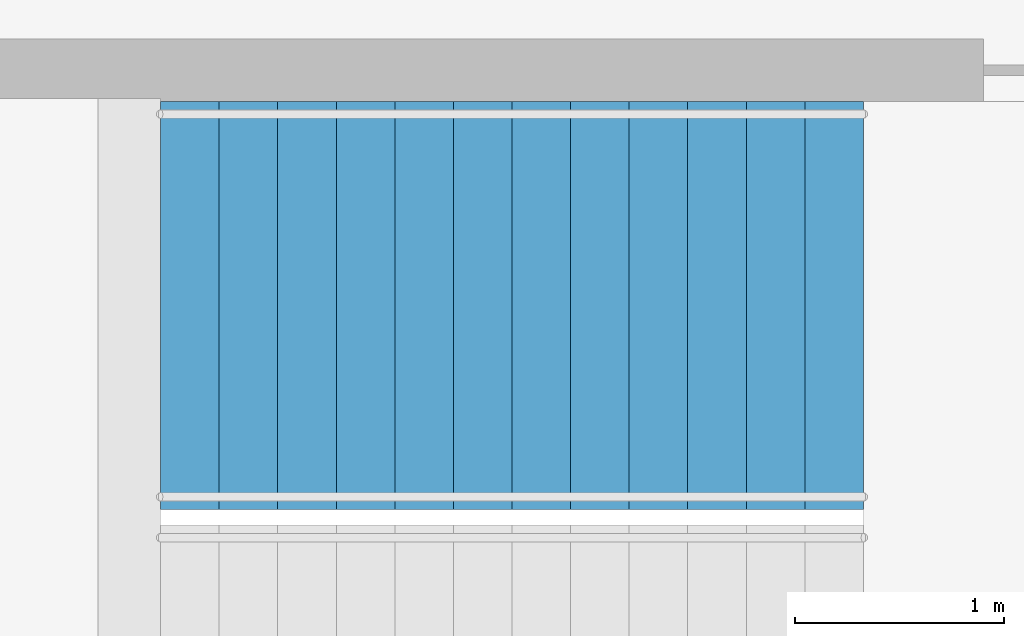
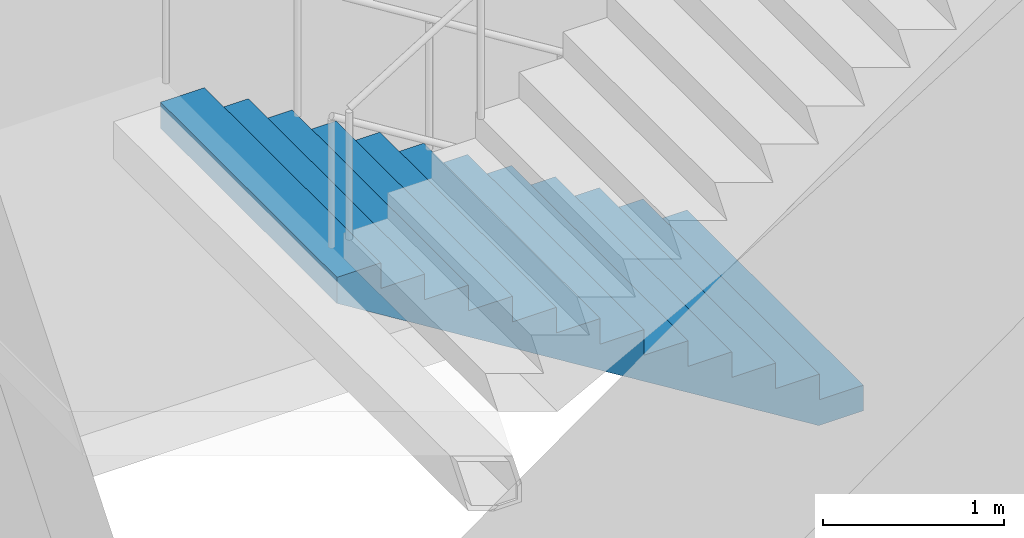
# One storey, part 22 of 32: 1 stair flight, 1 element without a shape of its own.
"""IFC4 building model written with IfcOpenShell, lengths in metres."""

from ifc_helpers import new_model, si_unit, direction, frame, origin, place, context, subcontext, project, spatial, triangles, material, type_object, element, aggregate, save


model = new_model("IFC4")

# Units and contexts
model_context = context("Model", 3, precision=1e-05, world=origin(), true_north=direction((0.0, 1.0)))
body_context = subcontext(model_context, "Body", "Model", "MODEL_VIEW")
ifc_project = project(units=[si_unit("LENGTHUNIT", "METRE"), si_unit("AREAUNIT", "SQUARE_METRE"), si_unit("VOLUMEUNIT", "CUBIC_METRE"), si_unit("PLANEANGLEUNIT", "RADIAN"), si_unit("MASSUNIT", "GRAM", prefix="KILO")], contexts=[model_context])

# Site, building, storey
site_placement = place(None, origin())
site = spatial("IfcSite", under=ifc_project, at=site_placement, CompositionType="ELEMENT")
building_placement = place(site_placement, origin())
building = spatial("IfcBuilding", under=site, at=building_placement, Name="Orbita Commons", CompositionType="ELEMENT")
storey_placement = place(building_placement, frame((0.0, 0.0, 140.35009765625)))
storey = spatial("IfcBuildingStorey", under=building, at=storey_placement, Name="L34", CompositionType="ELEMENT", Elevation=140.35009765625)

# Stair, stair flight
ifc_material_1 = material(Name="Precast concrete C40/50", Category="concrete")
stair_type = type_object("IfcStairType", Name="Exit stair S2 2 flights 13 risers 173", PredefinedType="HALF_TURN_STAIR", material=ifc_material_1)
stair_placement = place(storey_placement, origin())
stair = element("IfcStair", 1, at=stair_placement, inside=storey, type_object=stair_type, Name="Exit stair S2 L34", PredefinedType="HALF_TURN_STAIR")
ifc_material_2 = material(Name="Precast concrete C40/50", Category="concrete")
stair_flight_type = type_object("IfcStairFlightType", Name="Stair flight 13 risers 173 x 280", PredefinedType="STRAIGHT", material=ifc_material_2)
stair_flight_placement = place(storey_placement, frame((63.550048828125, 29.27490234375, 0.0), z_axis=(0.0, 0.0, 1.0), x_axis=(-1.0, 0.0, 0.0)))
stair_flight = element("IfcStairFlight", 2, at=stair_flight_placement, type_object=stair_flight_type, Name="S2 flight 1", NumberOfRisers=13, NumberOfTreads=12, PredefinedType="STRAIGHT", RiserHeight=0.173076923, TreadLength=0.28, context=body_context, shape_type="Tessellation", body=[
    triangles([(0.0, 0.974976, 0.0), (0.0, 0.974976, 0.021635), (0.0, 0.81248, 0.021635), (0.0, 0.81248, 0.0), (0.0, 0.649984, 0.021635), (0.0, 0.649984, 0.0), (0.0, 0.487488, 0.021635), (0.0, 0.487488, 0.0), (0.0, 0.324992, 0.021635), (0.0, 0.324992, 0.0), (0.0, 0.162496, 0.021635), (0.0, 0.162496, 0.0), (0.0, 0.0, 0.021635), (0.0, 0.0, 0.0), (0.0, -0.162496, 0.021635), (0.0, -0.162496, 0.0), (0.0, -0.324992, 0.021635), (0.0, -0.324992, 0.0), (0.0, -0.487488, 0.021635), (0.0, -0.487488, 0.0), (0.0, -0.649984, 0.021635), (0.0, -0.649984, 0.0), (0.0, -0.81248, 0.021635), (0.0, -0.81248, 0.0), (0.0, -0.974976, 0.021635), (0.0, -0.974976, 0.0), (0.0, 0.974976, 0.043269), (0.0, 0.81248, 0.043269), (0.0, 0.649984, 0.043269), (0.0, 0.487488, 0.043269), (0.0, 0.324992, 0.043269), (0.0, 0.162496, 0.043269), (0.0, 0.0, 0.043269), (0.0, -0.162496, 0.043269), (0.0, -0.324992, 0.043269), (0.0, -0.487488, 0.043269), (0.0, -0.649984, 0.043269), (0.0, -0.81248, 0.043269), (0.0, -0.974976, 0.043269), (0.0, 0.974976, 0.064904), (0.0, 0.81248, 0.064904), (0.0, 0.649984, 0.064904), (0.0, 0.487488, 0.064904), (0.0, 0.324992, 0.064904), (0.0, 0.162496, 0.064904), (0.0, 0.0, 0.064904), (0.0, -0.162496, 0.064904), (0.0, -0.324992, 0.064904), (0.0, -0.487488, 0.064904), (0.0, -0.649984, 0.064904), (0.0, -0.81248, 0.064904), (0.0, -0.974976, 0.064904), (0.0, 0.974976, 0.086538), (0.0, 0.81248, 0.086538), (0.0, 0.649984, 0.086538), (0.0, 0.487488, 0.086538), (0.0, 0.324992, 0.086538), (0.0, 0.162496, 0.086538), (0.0, 0.0, 0.086538), (0.0, -0.162496, 0.086538), (0.0, -0.324992, 0.086538), (0.0, -0.487488, 0.086538), (0.0, -0.649984, 0.086538), (0.0, -0.81248, 0.086538), (0.0, -0.974976, 0.086538), (0.0, 0.974976, 0.108173), (0.0, 0.81248, 0.108173), (0.0, 0.649984, 0.108173), (0.0, 0.487488, 0.108173), (0.0, 0.324992, 0.108173), (0.0, 0.162496, 0.108173), (0.0, 0.0, 0.108173), (0.0, -0.162496, 0.108173), (0.0, -0.324992, 0.108173), (0.0, -0.487488, 0.108173), (0.0, -0.649984, 0.108173), (0.0, -0.81248, 0.108173), (0.0, -0.974976, 0.108173), (0.0, 0.974976, 0.129808), (0.0, 0.81248, 0.129808), (0.0, 0.649984, 0.129808), (0.0, 0.487488, 0.129808), (0.0, 0.324992, 0.129808), (0.0, 0.162496, 0.129808), (0.0, 0.0, 0.129808), (0.0, -0.162496, 0.129808), (0.0, -0.324992, 0.129808), (0.0, -0.487488, 0.129808), (0.0, -0.649984, 0.129808), (0.0, -0.81248, 0.129808), (0.0, -0.974976, 0.129808), (0.0, 0.974976, 0.151442), (0.0, 0.81248, 0.151442), (0.0, 0.649984, 0.151442), (0.0, 0.487488, 0.151442), (0.0, 0.324992, 0.151442), (0.0, 0.162496, 0.151442), (0.0, 0.0, 0.151442), (0.0, -0.162496, 0.151442), (0.0, -0.324992, 0.151442), (0.0, -0.487488, 0.151442), (0.0, -0.649984, 0.151442), (0.0, -0.81248, 0.151442), (0.0, -0.974976, 0.151442), (0.0, 0.974976, 0.173077), (0.0, 0.81248, 0.173077), (0.0, 0.649984, 0.173077), (0.0, 0.487488, 0.173077), (0.0, 0.324992, 0.173077), (0.0, 0.162496, 0.173077), (0.0, 0.0, 0.173077), (0.0, -0.162496, 0.173077), (0.0, -0.324992, 0.173077), (0.0, -0.487488, 0.173077), (0.0, -0.649984, 0.173077), (0.0, -0.81248, 0.173077), (0.0, -0.974976, 0.173077), (0.28, 0.974976, 0.173077), (0.28, 0.81248, 0.173077), (0.28, 0.649984, 0.173077), (0.28, 0.487488, 0.173077), (0.28, 0.324992, 0.173077), (0.28, 0.162496, 0.173077), (0.28, 0.0, 0.173077), (0.28, -0.162496, 0.173077), (0.28, -0.324992, 0.173077), (0.28, -0.487488, 0.173077), (0.28, -0.649984, 0.173077), (0.28, -0.81248, 0.173077), (0.28, -0.974976, 0.173077), (0.28, 0.974976, 0.346154), (0.28, 0.81248, 0.346154), (0.28, 0.649984, 0.346154), (0.28, 0.487488, 0.346154), (0.28, 0.324992, 0.346154), (0.28, 0.162496, 0.346154), (0.28, 0.0, 0.346154), (0.28, -0.162496, 0.346154), (0.28, -0.324992, 0.346154), (0.28, -0.487488, 0.346154), (0.28, -0.649984, 0.346154), (0.28, -0.81248, 0.346154), (0.28, -0.974976, 0.346154), (0.56, 0.974976, 0.346154), (0.56, 0.81248, 0.346154), (0.56, 0.649984, 0.346154), (0.56, 0.487488, 0.346154), (0.56, 0.324992, 0.346154), (0.56, 0.162496, 0.346154), (0.56, 0.0, 0.346154), (0.56, -0.162496, 0.346154), (0.56, -0.324992, 0.346154), (0.56, -0.487488, 0.346154), (0.56, -0.649984, 0.346154), (0.56, -0.81248, 0.346154), (0.56, -0.974976, 0.346154), (0.56, 0.974976, 0.519231), (0.56, 0.81248, 0.519231), (0.56, 0.649984, 0.519231), (0.56, 0.487488, 0.519231), (0.56, 0.324992, 0.519231), (0.56, 0.162496, 0.519231), (0.56, 0.0, 0.519231), (0.56, -0.162496, 0.519231), (0.56, -0.324992, 0.519231), (0.56, -0.487488, 0.519231), (0.56, -0.649984, 0.519231), (0.56, -0.81248, 0.519231), (0.56, -0.974976, 0.519231), (0.84, 0.974976, 0.519231), (0.84, 0.81248, 0.519231), (0.84, 0.649984, 0.519231), (0.84, 0.487488, 0.519231), (0.84, 0.324992, 0.519231), (0.84, 0.162496, 0.519231), (0.84, 0.0, 0.519231), (0.84, -0.162496, 0.519231), (0.84, -0.324992, 0.519231), (0.84, -0.487488, 0.519231), (0.84, -0.649984, 0.519231), (0.84, -0.81248, 0.519231), (0.84, -0.974976, 0.519231), (0.84, 0.974976, 0.692308), (0.84, 0.81248, 0.692308), (0.84, 0.649984, 0.692308), (0.84, 0.487488, 0.692308), (0.84, 0.324992, 0.692308), (0.84, 0.162496, 0.692308), (0.84, 0.0, 0.692308), (0.84, -0.162496, 0.692308), (0.84, -0.324992, 0.692308), (0.84, -0.487488, 0.692308), (0.84, -0.649984, 0.692308), (0.84, -0.81248, 0.692308), (0.84, -0.974976, 0.692308), (1.12, 0.974976, 0.692308), (1.12, 0.81248, 0.692308), (1.12, 0.649984, 0.692308), (1.12, 0.487488, 0.692308), (1.12, 0.324992, 0.692308), (1.12, 0.162496, 0.692308), (1.12, 0.0, 0.692308), (1.12, -0.162496, 0.692308), (1.12, -0.324992, 0.692308), (1.12, -0.487488, 0.692308), (1.12, -0.649984, 0.692308), (1.12, -0.81248, 0.692308), (1.12, -0.974976, 0.692308), (1.12, 0.974976, 0.865385), (1.12, 0.81248, 0.865385), (1.12, 0.649984, 0.865385), (1.12, 0.487488, 0.865385), (1.12, 0.324992, 0.865385), (1.12, 0.162496, 0.865385), (1.12, 0.0, 0.865385), (1.12, -0.162496, 0.865385), (1.12, -0.324992, 0.865385), (1.12, -0.487488, 0.865385), (1.12, -0.649984, 0.865385), (1.12, -0.81248, 0.865385), (1.12, -0.974976, 0.865385), (1.4, 0.974976, 0.865385), (1.4, 0.81248, 0.865385), (1.4, 0.649984, 0.865385), (1.4, 0.487488, 0.865385), (1.4, 0.324992, 0.865385), (1.4, 0.162496, 0.865385), (1.4, 0.0, 0.865385), (1.4, -0.162496, 0.865385), (1.4, -0.324992, 0.865385), (1.4, -0.487488, 0.865385), (1.4, -0.649984, 0.865385), (1.4, -0.81248, 0.865385), (1.4, -0.974976, 0.865385), (1.4, 0.974976, 1.038462), (1.4, 0.81248, 1.038462), (1.4, 0.649984, 1.038462), (1.4, 0.487488, 1.038462), (1.4, 0.324992, 1.038462), (1.4, 0.162496, 1.038462), (1.4, 0.0, 1.038462), (1.4, -0.162496, 1.038462), (1.4, -0.324992, 1.038462), (1.4, -0.487488, 1.038462), (1.4, -0.649984, 1.038462), (1.4, -0.81248, 1.038462), (1.4, -0.974976, 1.038462), (1.68, 0.974976, 1.038462), (1.68, 0.81248, 1.038462), (1.68, 0.649984, 1.038462), (1.68, 0.487488, 1.038462), (1.68, 0.324992, 1.038462), (1.68, 0.162496, 1.038462), (1.68, 0.0, 1.038462), (1.68, -0.162496, 1.038462), (1.68, -0.324992, 1.038462), (1.68, -0.487488, 1.038462), (1.68, -0.649984, 1.038462), (1.68, -0.81248, 1.038462), (1.68, -0.974976, 1.038462), (1.68, 0.974976, 1.211538), (1.68, 0.81248, 1.211538), (1.68, 0.649984, 1.211538), (1.68, 0.487488, 1.211538), (1.68, 0.324992, 1.211538), (1.68, 0.162496, 1.211538), (1.68, 0.0, 1.211538), (1.68, -0.162496, 1.211538), (1.68, -0.324992, 1.211538), (1.68, -0.487488, 1.211538), (1.68, -0.649984, 1.211538), (1.68, -0.81248, 1.211538), (1.68, -0.974976, 1.211538), (1.96, 0.974976, 1.211538), (1.96, 0.81248, 1.211538), (1.96, 0.649984, 1.211538), (1.96, 0.487488, 1.211538), (1.96, 0.324992, 1.211538), (1.96, 0.162496, 1.211538), (1.96, 0.0, 1.211538), (1.96, -0.162496, 1.211538), (1.96, -0.324992, 1.211538), (1.96, -0.487488, 1.211538), (1.96, -0.649984, 1.211538), (1.96, -0.81248, 1.211538), (1.96, -0.974976, 1.211538), (1.96, 0.974976, 1.384615), (1.96, 0.81248, 1.384615), (1.96, 0.649984, 1.384615), (1.96, 0.487488, 1.384615), (1.96, 0.324992, 1.384615), (1.96, 0.162496, 1.384615), (1.96, 0.0, 1.384615), (1.96, -0.162496, 1.384615), (1.96, -0.324992, 1.384615), (1.96, -0.487488, 1.384615), (1.96, -0.649984, 1.384615), (1.96, -0.81248, 1.384615), (1.96, -0.974976, 1.384615), (2.24, 0.974976, 1.384615), (2.24, 0.81248, 1.384615), (2.24, 0.649984, 1.384615), (2.24, 0.487488, 1.384615), (2.24, 0.324992, 1.384615), (2.24, 0.162496, 1.384615), (2.24, 0.0, 1.384615), (2.24, -0.162496, 1.384615), (2.24, -0.324992, 1.384615), (2.24, -0.487488, 1.384615), (2.24, -0.649984, 1.384615), (2.24, -0.81248, 1.384615), (2.24, -0.974976, 1.384615), (2.24, 0.974976, 1.557692), (2.24, 0.81248, 1.557692), (2.24, 0.649984, 1.557692), (2.24, 0.487488, 1.557692), (2.24, 0.324992, 1.557692), (2.24, 0.162496, 1.557692), (2.24, 0.0, 1.557692), (2.24, -0.162496, 1.557692), (2.24, -0.324992, 1.557692), (2.24, -0.487488, 1.557692), (2.24, -0.649984, 1.557692), (2.24, -0.81248, 1.557692), (2.24, -0.974976, 1.557692), (2.52, 0.974976, 1.557692), (2.52, 0.81248, 1.557692), (2.52, 0.649984, 1.557692), (2.52, 0.487488, 1.557692), (2.52, 0.324992, 1.557692), (2.52, 0.162496, 1.557692), (2.52, 0.0, 1.557692), (2.52, -0.162496, 1.557692), (2.52, -0.324992, 1.557692), (2.52, -0.487488, 1.557692), (2.52, -0.649984, 1.557692), (2.52, -0.81248, 1.557692), (2.52, -0.974976, 1.557692), (2.52, 0.974976, 1.730769), (2.52, 0.81248, 1.730769), (2.52, 0.649984, 1.730769), (2.52, 0.487488, 1.730769), (2.52, 0.324992, 1.730769), (2.52, 0.162496, 1.730769), (2.52, 0.0, 1.730769), (2.52, -0.162496, 1.730769), (2.52, -0.324992, 1.730769), (2.52, -0.487488, 1.730769), (2.52, -0.649984, 1.730769), (2.52, -0.81248, 1.730769), (2.52, -0.974976, 1.730769), (2.8, 0.974976, 1.730769), (2.8, 0.81248, 1.730769), (2.8, 0.649984, 1.730769), (2.8, 0.487488, 1.730769), (2.8, 0.324992, 1.730769), (2.8, 0.162496, 1.730769), (2.8, 0.0, 1.730769), (2.8, -0.162496, 1.730769), (2.8, -0.324992, 1.730769), (2.8, -0.487488, 1.730769), (2.8, -0.649984, 1.730769), (2.8, -0.81248, 1.730769), (2.8, -0.974976, 1.730769), (2.8, 0.974976, 1.903846), (2.8, 0.81248, 1.903846), (2.8, 0.649984, 1.903846), (2.8, 0.487488, 1.903846), (2.8, 0.324992, 1.903846), (2.8, 0.162496, 1.903846), (2.8, 0.0, 1.903846), (2.8, -0.162496, 1.903846), (2.8, -0.324992, 1.903846), (2.8, -0.487488, 1.903846), (2.8, -0.649984, 1.903846), (2.8, -0.81248, 1.903846), (2.8, -0.974976, 1.903846), (3.08, 0.974976, 1.903846), (3.08, 0.81248, 1.903846), (3.08, 0.649984, 1.903846), (3.08, 0.487488, 1.903846), (3.08, 0.324992, 1.903846), (3.08, 0.162496, 1.903846), (3.08, 0.0, 1.903846), (3.08, -0.162496, 1.903846), (3.08, -0.324992, 1.903846), (3.08, -0.487488, 1.903846), (3.08, -0.649984, 1.903846), (3.08, -0.81248, 1.903846), (3.08, -0.974976, 1.903846), (3.08, 0.974976, 2.076923), (3.08, 0.81248, 2.076923), (3.08, 0.649984, 2.076923), (3.08, 0.487488, 2.076923), (3.08, 0.324992, 2.076923), (3.08, 0.162496, 2.076923), (3.08, 0.0, 2.076923), (3.08, -0.162496, 2.076923), (3.08, -0.324992, 2.076923), (3.08, -0.487488, 2.076923), (3.08, -0.649984, 2.076923), (3.08, -0.81248, 2.076923), (3.08, -0.974976, 2.076923), (3.36, 0.974976, 2.076923), (3.36, 0.81248, 2.076923), (3.36, 0.649984, 2.076923), (3.36, 0.487488, 2.076923), (3.36, 0.324992, 2.076923), (3.36, 0.162496, 2.076923), (3.36, 0.0, 2.076923), (3.36, -0.162496, 2.076923), (3.36, -0.324992, 2.076923), (3.36, -0.487488, 2.076923), (3.36, -0.649984, 2.076923), (3.36, -0.81248, 2.076923), (3.36, -0.974976, 2.076923), (3.36, 0.974976, 2.054895), (3.36, 0.81248, 2.054895), (3.36, 0.649984, 2.054895), (3.36, 0.487488, 2.054895), (3.36, 0.324992, 2.054895), (3.36, 0.162496, 2.054895), (3.36, 0.0, 2.054895), (3.36, -0.162496, 2.054895), (3.36, -0.324992, 2.054895), (3.36, -0.487488, 2.054895), (3.36, -0.649984, 2.054895), (3.36, -0.81248, 2.054895), (3.36, -0.974976, 2.054895), (3.36, 0.974976, 2.032866), (3.36, 0.81248, 2.032866), (3.36, 0.649984, 2.032866), (3.36, 0.487488, 2.032866), (3.36, 0.324992, 2.032866), (3.36, 0.162496, 2.032866), (3.36, 0.0, 2.032866), (3.36, -0.162496, 2.032866), (3.36, -0.324992, 2.032866), (3.36, -0.487488, 2.032866), (3.36, -0.649984, 2.032866), (3.36, -0.81248, 2.032866), (3.36, -0.974976, 2.032866), (3.36, 0.974976, 2.010837), (3.36, 0.81248, 2.010837), (3.36, 0.649984, 2.010837), (3.36, 0.487488, 2.010837), (3.36, 0.324992, 2.010837), (3.36, 0.162496, 2.010837), (3.36, 0.0, 2.010837), (3.36, -0.162496, 2.010837), (3.36, -0.324992, 2.010837), (3.36, -0.487488, 2.010837), (3.36, -0.649984, 2.010837), (3.36, -0.81248, 2.010837), (3.36, -0.974976, 2.010837), (3.36, 0.974976, 1.988809), (3.36, 0.81248, 1.988809), (3.36, 0.649984, 1.988809), (3.36, 0.487488, 1.988809), (3.36, 0.324992, 1.988809), (3.36, 0.162496, 1.988809), (3.36, 0.0, 1.988809), (3.36, -0.162496, 1.988809), (3.36, -0.324992, 1.988809), (3.36, -0.487488, 1.988809), (3.36, -0.649984, 1.988809), (3.36, -0.81248, 1.988809), (3.36, -0.974976, 1.988809), (3.36, 0.974976, 1.96678), (3.36, 0.81248, 1.96678), (3.36, 0.649984, 1.96678), (3.36, 0.487488, 1.96678), (3.36, 0.324992, 1.96678), (3.36, 0.162496, 1.96678), (3.36, 0.0, 1.96678), (3.36, -0.162496, 1.96678), (3.36, -0.324992, 1.96678), (3.36, -0.487488, 1.96678), (3.36, -0.649984, 1.96678), (3.36, -0.81248, 1.96678), (3.36, -0.974976, 1.96678), (3.36, 0.974976, 1.944752), (3.36, 0.81248, 1.944752), (3.36, 0.649984, 1.944752), (3.36, 0.487488, 1.944752), (3.36, 0.324992, 1.944752), (3.36, 0.162496, 1.944752), (3.36, 0.0, 1.944752), (3.36, -0.162496, 1.944752), (3.36, -0.324992, 1.944752), (3.36, -0.487488, 1.944752), (3.36, -0.649984, 1.944752), (3.36, -0.81248, 1.944752), (3.36, -0.974976, 1.944752), (3.36, 0.974976, 1.922723), (3.36, 0.81248, 1.922723), (3.36, 0.649984, 1.922723), (3.36, 0.487488, 1.922723), (3.36, 0.324992, 1.922723), (3.36, 0.162496, 1.922723), (3.36, 0.0, 1.922723), (3.36, -0.162496, 1.922723), (3.36, -0.324992, 1.922723), (3.36, -0.487488, 1.922723), (3.36, -0.649984, 1.922723), (3.36, -0.81248, 1.922723), (3.36, -0.974976, 1.922723), (3.36, 0.974976, 1.900695), (3.36, 0.81248, 1.900695), (3.36, 0.649984, 1.900695), (3.36, 0.487488, 1.900695), (3.36, 0.324992, 1.900695), (3.36, 0.162496, 1.900695), (3.36, 0.0, 1.900695), (3.36, -0.162496, 1.900695), (3.36, -0.324992, 1.900695), (3.36, -0.487488, 1.900695), (3.36, -0.649984, 1.900695), (3.36, -0.81248, 1.900695), (3.36, -0.974976, 1.900695), (0.285099, 0.974976, 0.0), (0.285099, 0.81248, 0.0), (0.285099, 0.649984, 0.0), (0.285099, 0.487488, 0.0), (0.285099, 0.324992, 0.0), (0.285099, 0.162496, 0.0), (0.285099, 0.0, 0.0), (0.285099, -0.162496, 0.0), (0.285099, -0.324992, 0.0), (0.285099, -0.487488, 0.0), (0.285099, -0.649984, 0.0), (0.285099, -0.81248, 0.0), (0.285099, -0.974976, 0.0)], [[3, 2, 1], [4, 3, 1], [5, 3, 4], [6, 5, 4], [7, 5, 6], [8, 7, 6], [9, 7, 8], [10, 9, 8], [11, 9, 10], [12, 11, 10], [13, 11, 12], [14, 13, 12], [15, 13, 14], [16, 15, 14], [17, 15, 16], [18, 17, 16], [19, 17, 18], [20, 19, 18], [21, 19, 20], [22, 21, 20], [23, 21, 22], [24, 23, 22], [25, 23, 24], [26, 25, 24], [28, 27, 2], [3, 28, 2], [29, 28, 3], [5, 29, 3], [30, 29, 5], [7, 30, 5], [31, 30, 7], [9, 31, 7], [32, 31, 9], [11, 32, 9], [33, 32, 11], [13, 33, 11], [34, 33, 13], [15, 34, 13], [35, 34, 15], [17, 35, 15], [36, 35, 17], [19, 36, 17], [37, 36, 19], [21, 37, 19], [38, 37, 21], [23, 38, 21], [39, 38, 23], [25, 39, 23], [41, 40, 27], [28, 41, 27], [42, 41, 28], [29, 42, 28], [43, 42, 29], [30, 43, 29], [44, 43, 30], [31, 44, 30], [45, 44, 31], [32, 45, 31], [46, 45, 32], [33, 46, 32], [47, 46, 33], [34, 47, 33], [48, 47, 34], [35, 48, 34], [49, 48, 35], [36, 49, 35], [50, 49, 36], [37, 50, 36], [51, 50, 37], [38, 51, 37], [52, 51, 38], [39, 52, 38], [54, 53, 40], [41, 54, 40], [55, 54, 41], [42, 55, 41], [56, 55, 42], [43, 56, 42], [57, 56, 43], [44, 57, 43], [58, 57, 44], [45, 58, 44], [59, 58, 45], [46, 59, 45], [60, 59, 46], [47, 60, 46], [61, 60, 47], [48, 61, 47], [62, 61, 48], [49, 62, 48], [63, 62, 49], [50, 63, 49], [64, 63, 50], [51, 64, 50], [65, 64, 51], [52, 65, 51], [67, 66, 53], [54, 67, 53], [68, 67, 54], [55, 68, 54], [69, 68, 55], [56, 69, 55], [70, 69, 56], [57, 70, 56], [71, 70, 57], [58, 71, 57], [72, 71, 58], [59, 72, 58], [73, 72, 59], [60, 73, 59], [74, 73, 60], [61, 74, 60], [75, 74, 61], [62, 75, 61], [76, 75, 62], [63, 76, 62], [77, 76, 63], [64, 77, 63], [78, 77, 64], [65, 78, 64], [80, 79, 66], [67, 80, 66], [81, 80, 67], [68, 81, 67], [82, 81, 68], [69, 82, 68], [83, 82, 69], [70, 83, 69], [84, 83, 70], [71, 84, 70], [85, 84, 71], [72, 85, 71], [86, 85, 72], [73, 86, 72], [87, 86, 73], [74, 87, 73], [88, 87, 74], [75, 88, 74], [89, 88, 75], [76, 89, 75], [90, 89, 76], [77, 90, 76], [91, 90, 77], [78, 91, 77], [93, 92, 79], [80, 93, 79], [94, 93, 80], [81, 94, 80], [95, 94, 81], [82, 95, 81], [96, 95, 82], [83, 96, 82], [97, 96, 83], [84, 97, 83], [98, 97, 84], [85, 98, 84], [99, 98, 85], [86, 99, 85], [100, 99, 86], [87, 100, 86], [101, 100, 87], [88, 101, 87], [102, 101, 88], [89, 102, 88], [103, 102, 89], [90, 103, 89], [104, 103, 90], [91, 104, 90], [106, 105, 92], [93, 106, 92], [107, 106, 93], [94, 107, 93], [108, 107, 94], [95, 108, 94], [109, 108, 95], [96, 109, 95], [110, 109, 96], [97, 110, 96], [111, 110, 97], [98, 111, 97], [112, 111, 98], [99, 112, 98], [113, 112, 99], [100, 113, 99], [114, 113, 100], [101, 114, 100], [115, 114, 101], [102, 115, 101], [116, 115, 102], [103, 116, 102], [117, 116, 103], [104, 117, 103], [119, 118, 105], [106, 119, 105], [120, 119, 106], [107, 120, 106], [121, 120, 107], [108, 121, 107], [122, 121, 108], [109, 122, 108], [123, 122, 109], [110, 123, 109], [124, 123, 110], [111, 124, 110], [125, 124, 111], [112, 125, 111], [126, 125, 112], [113, 126, 112], [127, 126, 113], [114, 127, 113], [128, 127, 114], [115, 128, 114], [129, 128, 115], [116, 129, 115], [130, 129, 116], [117, 130, 116], [132, 131, 118], [119, 132, 118], [133, 132, 119], [120, 133, 119], [134, 133, 120], [121, 134, 120], [135, 134, 121], [122, 135, 121], [136, 135, 122], [123, 136, 122], [137, 136, 123], [124, 137, 123], [138, 137, 124], [125, 138, 124], [139, 138, 125], [126, 139, 125], [140, 139, 126], [127, 140, 126], [141, 140, 127], [128, 141, 127], [142, 141, 128], [129, 142, 128], [143, 142, 129], [130, 143, 129], [145, 144, 131], [132, 145, 131], [146, 145, 132], [133, 146, 132], [147, 146, 133], [134, 147, 133], [148, 147, 134], [135, 148, 134], [149, 148, 135], [136, 149, 135], [150, 149, 136], [137, 150, 136], [151, 150, 137], [138, 151, 137], [152, 151, 138], [139, 152, 138], [153, 152, 139], [140, 153, 139], [154, 153, 140], [141, 154, 140], [155, 154, 141], [142, 155, 141], [156, 155, 142], [143, 156, 142], [158, 157, 144], [145, 158, 144], [159, 158, 145], [146, 159, 145], [160, 159, 146], [147, 160, 146], [161, 160, 147], [148, 161, 147], [162, 161, 148], [149, 162, 148], [163, 162, 149], [150, 163, 149], [164, 163, 150], [151, 164, 150], [165, 164, 151], [152, 165, 151], [166, 165, 152], [153, 166, 152], [167, 166, 153], [154, 167, 153], [168, 167, 154], [155, 168, 154], [169, 168, 155], [156, 169, 155], [171, 170, 157], [158, 171, 157], [172, 171, 158], [159, 172, 158], [173, 172, 159], [160, 173, 159], [174, 173, 160], [161, 174, 160], [175, 174, 161], [162, 175, 161], [176, 175, 162], [163, 176, 162], [177, 176, 163], [164, 177, 163], [178, 177, 164], [165, 178, 164], [179, 178, 165], [166, 179, 165], [180, 179, 166], [167, 180, 166], [181, 180, 167], [168, 181, 167], [182, 181, 168], [169, 182, 168], [184, 183, 170], [171, 184, 170], [185, 184, 171], [172, 185, 171], [186, 185, 172], [173, 186, 172], [187, 186, 173], [174, 187, 173], [188, 187, 174], [175, 188, 174], [189, 188, 175], [176, 189, 175], [190, 189, 176], [177, 190, 176], [191, 190, 177], [178, 191, 177], [192, 191, 178], [179, 192, 178], [193, 192, 179], [180, 193, 179], [194, 193, 180], [181, 194, 180], [195, 194, 181], [182, 195, 181], [197, 196, 183], [184, 197, 183], [198, 197, 184], [185, 198, 184], [199, 198, 185], [186, 199, 185], [200, 199, 186], [187, 200, 186], [201, 200, 187], [188, 201, 187], [202, 201, 188], [189, 202, 188], [203, 202, 189], [190, 203, 189], [204, 203, 190], [191, 204, 190], [205, 204, 191], [192, 205, 191], [206, 205, 192], [193, 206, 192], [207, 206, 193], [194, 207, 193], [208, 207, 194], [195, 208, 194], [210, 209, 196], [197, 210, 196], [211, 210, 197], [198, 211, 197], [212, 211, 198], [199, 212, 198], [213, 212, 199], [200, 213, 199], [214, 213, 200], [201, 214, 200], [215, 214, 201], [202, 215, 201], [216, 215, 202], [203, 216, 202], [217, 216, 203], [204, 217, 203], [218, 217, 204], [205, 218, 204], [219, 218, 205], [206, 219, 205], [220, 219, 206], [207, 220, 206], [221, 220, 207], [208, 221, 207], [223, 222, 209], [210, 223, 209], [224, 223, 210], [211, 224, 210], [225, 224, 211], [212, 225, 211], [226, 225, 212], [213, 226, 212], [227, 226, 213], [214, 227, 213], [228, 227, 214], [215, 228, 214], [229, 228, 215], [216, 229, 215], [230, 229, 216], [217, 230, 216], [231, 230, 217], [218, 231, 217], [232, 231, 218], [219, 232, 218], [233, 232, 219], [220, 233, 219], [234, 233, 220], [221, 234, 220], [236, 235, 222], [223, 236, 222], [237, 236, 223], [224, 237, 223], [238, 237, 224], [225, 238, 224], [239, 238, 225], [226, 239, 225], [240, 239, 226], [227, 240, 226], [241, 240, 227], [228, 241, 227], [242, 241, 228], [229, 242, 228], [243, 242, 229], [230, 243, 229], [244, 243, 230], [231, 244, 230], [245, 244, 231], [232, 245, 231], [246, 245, 232], [233, 246, 232], [247, 246, 233], [234, 247, 233], [249, 248, 235], [236, 249, 235], [250, 249, 236], [237, 250, 236], [251, 250, 237], [238, 251, 237], [252, 251, 238], [239, 252, 238], [253, 252, 239], [240, 253, 239], [254, 253, 240], [241, 254, 240], [255, 254, 241], [242, 255, 241], [256, 255, 242], [243, 256, 242], [257, 256, 243], [244, 257, 243], [258, 257, 244], [245, 258, 244], [259, 258, 245], [246, 259, 245], [260, 259, 246], [247, 260, 246], [262, 261, 248], [249, 262, 248], [263, 262, 249], [250, 263, 249], [264, 263, 250], [251, 264, 250], [265, 264, 251], [252, 265, 251], [266, 265, 252], [253, 266, 252], [267, 266, 253], [254, 267, 253], [268, 267, 254], [255, 268, 254], [269, 268, 255], [256, 269, 255], [270, 269, 256], [257, 270, 256], [271, 270, 257], [258, 271, 257], [272, 271, 258], [259, 272, 258], [273, 272, 259], [260, 273, 259], [275, 274, 261], [262, 275, 261], [276, 275, 262], [263, 276, 262], [277, 276, 263], [264, 277, 263], [278, 277, 264], [265, 278, 264], [279, 278, 265], [266, 279, 265], [280, 279, 266], [267, 280, 266], [281, 280, 267], [268, 281, 267], [282, 281, 268], [269, 282, 268], [283, 282, 269], [270, 283, 269], [284, 283, 270], [271, 284, 270], [285, 284, 271], [272, 285, 271], [286, 285, 272], [273, 286, 272], [288, 287, 274], [275, 288, 274], [289, 288, 275], [276, 289, 275], [290, 289, 276], [277, 290, 276], [291, 290, 277], [278, 291, 277], [292, 291, 278], [279, 292, 278], [293, 292, 279], [280, 293, 279], [294, 293, 280], [281, 294, 280], [295, 294, 281], [282, 295, 281], [296, 295, 282], [283, 296, 282], [297, 296, 283], [284, 297, 283], [298, 297, 284], [285, 298, 284], [299, 298, 285], [286, 299, 285], [301, 300, 287], [288, 301, 287], [302, 301, 288], [289, 302, 288], [303, 302, 289], [290, 303, 289], [304, 303, 290], [291, 304, 290], [305, 304, 291], [292, 305, 291], [306, 305, 292], [293, 306, 292], [307, 306, 293], [294, 307, 293], [308, 307, 294], [295, 308, 294], [309, 308, 295], [296, 309, 295], [310, 309, 296], [297, 310, 296], [311, 310, 297], [298, 311, 297], [312, 311, 298], [299, 312, 298], [314, 313, 300], [301, 314, 300], [315, 314, 301], [302, 315, 301], [316, 315, 302], [303, 316, 302], [317, 316, 303], [304, 317, 303], [318, 317, 304], [305, 318, 304], [319, 318, 305], [306, 319, 305], [320, 319, 306], [307, 320, 306], [321, 320, 307], [308, 321, 307], [322, 321, 308], [309, 322, 308], [323, 322, 309], [310, 323, 309], [324, 323, 310], [311, 324, 310], [325, 324, 311], [312, 325, 311], [327, 326, 313], [314, 327, 313], [328, 327, 314], [315, 328, 314], [329, 328, 315], [316, 329, 315], [330, 329, 316], [317, 330, 316], [331, 330, 317], [318, 331, 317], [332, 331, 318], [319, 332, 318], [333, 332, 319], [320, 333, 319], [334, 333, 320], [321, 334, 320], [335, 334, 321], [322, 335, 321], [336, 335, 322], [323, 336, 322], [337, 336, 323], [324, 337, 323], [338, 337, 324], [325, 338, 324], [340, 339, 326], [327, 340, 326], [341, 340, 327], [328, 341, 327], [342, 341, 328], [329, 342, 328], [343, 342, 329], [330, 343, 329], [344, 343, 330], [331, 344, 330], [345, 344, 331], [332, 345, 331], [346, 345, 332], [333, 346, 332], [347, 346, 333], [334, 347, 333], [348, 347, 334], [335, 348, 334], [349, 348, 335], [336, 349, 335], [350, 349, 336], [337, 350, 336], [351, 350, 337], [338, 351, 337], [353, 352, 339], [340, 353, 339], [354, 353, 340], [341, 354, 340], [355, 354, 341], [342, 355, 341], [356, 355, 342], [343, 356, 342], [357, 356, 343], [344, 357, 343], [358, 357, 344], [345, 358, 344], [359, 358, 345], [346, 359, 345], [360, 359, 346], [347, 360, 346], [361, 360, 347], [348, 361, 347], [362, 361, 348], [349, 362, 348], [363, 362, 349], [350, 363, 349], [364, 363, 350], [351, 364, 350], [366, 365, 352], [353, 366, 352], [367, 366, 353], [354, 367, 353], [368, 367, 354], [355, 368, 354], [369, 368, 355], [356, 369, 355], [370, 369, 356], [357, 370, 356], [371, 370, 357], [358, 371, 357], [372, 371, 358], [359, 372, 358], [373, 372, 359], [360, 373, 359], [374, 373, 360], [361, 374, 360], [375, 374, 361], [362, 375, 361], [376, 375, 362], [363, 376, 362], [377, 376, 363], [364, 377, 363], [379, 378, 365], [366, 379, 365], [380, 379, 366], [367, 380, 366], [381, 380, 367], [368, 381, 367], [382, 381, 368], [369, 382, 368], [383, 382, 369], [370, 383, 369], [384, 383, 370], [371, 384, 370], [385, 384, 371], [372, 385, 371], [386, 385, 372], [373, 386, 372], [387, 386, 373], [374, 387, 373], [388, 387, 374], [375, 388, 374], [389, 388, 375], [376, 389, 375], [390, 389, 376], [377, 390, 376], [392, 391, 378], [379, 392, 378], [393, 392, 379], [380, 393, 379], [394, 393, 380], [381, 394, 380], [395, 394, 381], [382, 395, 381], [396, 395, 382], [383, 396, 382], [397, 396, 383], [384, 397, 383], [398, 397, 384], [385, 398, 384], [399, 398, 385], [386, 399, 385], [400, 399, 386], [387, 400, 386], [401, 400, 387], [388, 401, 387], [402, 401, 388], [389, 402, 388], [403, 402, 389], [390, 403, 389], [405, 404, 391], [392, 405, 391], [406, 405, 392], [393, 406, 392], [407, 406, 393], [394, 407, 393], [408, 407, 394], [395, 408, 394], [409, 408, 395], [396, 409, 395], [410, 409, 396], [397, 410, 396], [411, 410, 397], [398, 411, 397], [412, 411, 398], [399, 412, 398], [413, 412, 399], [400, 413, 399], [414, 413, 400], [401, 414, 400], [415, 414, 401], [402, 415, 401], [416, 415, 402], [403, 416, 402], [418, 417, 404], [405, 418, 404], [419, 418, 405], [406, 419, 405], [420, 419, 406], [407, 420, 406], [421, 420, 407], [408, 421, 407], [422, 421, 408], [409, 422, 408], [423, 422, 409], [410, 423, 409], [424, 423, 410], [411, 424, 410], [425, 424, 411], [412, 425, 411], [426, 425, 412], [413, 426, 412], [427, 426, 413], [414, 427, 413], [428, 427, 414], [415, 428, 414], [429, 428, 415], [416, 429, 415], [431, 430, 417], [418, 431, 417], [432, 431, 418], [419, 432, 418], [433, 432, 419], [420, 433, 419], [434, 433, 420], [421, 434, 420], [435, 434, 421], [422, 435, 421], [436, 435, 422], [423, 436, 422], [437, 436, 423], [424, 437, 423], [438, 437, 424], [425, 438, 424], [439, 438, 425], [426, 439, 425], [440, 439, 426], [427, 440, 426], [441, 440, 427], [428, 441, 427], [442, 441, 428], [429, 442, 428], [444, 443, 430], [431, 444, 430], [445, 444, 431], [432, 445, 431], [446, 445, 432], [433, 446, 432], [447, 446, 433], [434, 447, 433], [448, 447, 434], [435, 448, 434], [449, 448, 435], [436, 449, 435], [450, 449, 436], [437, 450, 436], [451, 450, 437], [438, 451, 437], [452, 451, 438], [439, 452, 438], [453, 452, 439], [440, 453, 439], [454, 453, 440], [441, 454, 440], [455, 454, 441], [442, 455, 441], [457, 456, 443], [444, 457, 443], [458, 457, 444], [445, 458, 444], [459, 458, 445], [446, 459, 445], [460, 459, 446], [447, 460, 446], [461, 460, 447], [448, 461, 447], [462, 461, 448], [449, 462, 448], [463, 462, 449], [450, 463, 449], [464, 463, 450], [451, 464, 450], [465, 464, 451], [452, 465, 451], [466, 465, 452], [453, 466, 452], [467, 466, 453], [454, 467, 453], [468, 467, 454], [455, 468, 454], [470, 469, 456], [457, 470, 456], [471, 470, 457], [458, 471, 457], [472, 471, 458], [459, 472, 458], [473, 472, 459], [460, 473, 459], [474, 473, 460], [461, 474, 460], [475, 474, 461], [462, 475, 461], [476, 475, 462], [463, 476, 462], [477, 476, 463], [464, 477, 463], [478, 477, 464], [465, 478, 464], [479, 478, 465], [466, 479, 465], [480, 479, 466], [467, 480, 466], [481, 480, 467], [468, 481, 467], [483, 482, 469], [470, 483, 469], [484, 483, 470], [471, 484, 470], [485, 484, 471], [472, 485, 471], [486, 485, 472], [473, 486, 472], [487, 486, 473], [474, 487, 473], [488, 487, 474], [475, 488, 474], [489, 488, 475], [476, 489, 475], [490, 489, 476], [477, 490, 476], [491, 490, 477], [478, 491, 477], [492, 491, 478], [479, 492, 478], [493, 492, 479], [480, 493, 479], [494, 493, 480], [481, 494, 480], [496, 495, 482], [483, 496, 482], [497, 496, 483], [484, 497, 483], [498, 497, 484], [485, 498, 484], [499, 498, 485], [486, 499, 485], [500, 499, 486], [487, 500, 486], [501, 500, 487], [488, 501, 487], [502, 501, 488], [489, 502, 488], [503, 502, 489], [490, 503, 489], [504, 503, 490], [491, 504, 490], [505, 504, 491], [492, 505, 491], [506, 505, 492], [493, 506, 492], [507, 506, 493], [494, 507, 493], [509, 508, 495], [496, 509, 495], [510, 509, 496], [497, 510, 496], [511, 510, 497], [498, 511, 497], [512, 511, 498], [499, 512, 498], [513, 512, 499], [500, 513, 499], [514, 513, 500], [501, 514, 500], [515, 514, 501], [502, 515, 501], [516, 515, 502], [503, 516, 502], [517, 516, 503], [504, 517, 503], [518, 517, 504], [505, 518, 504], [519, 518, 505], [506, 519, 505], [520, 519, 506], [507, 520, 506], [522, 521, 508], [509, 522, 508], [523, 522, 509], [510, 523, 509], [524, 523, 510], [511, 524, 510], [525, 524, 511], [512, 525, 511], [526, 525, 512], [513, 526, 512], [527, 526, 513], [514, 527, 513], [528, 527, 514], [515, 528, 514], [529, 528, 515], [516, 529, 515], [530, 529, 516], [517, 530, 516], [531, 530, 517], [518, 531, 517], [532, 531, 518], [519, 532, 518], [533, 532, 519], [520, 533, 519], [4, 1, 521], [522, 4, 521], [6, 4, 522], [523, 6, 522], [8, 6, 523], [524, 8, 523], [10, 8, 524], [525, 10, 524], [12, 10, 525], [526, 12, 525], [14, 12, 526], [527, 14, 526], [16, 14, 527], [528, 16, 527], [18, 16, 528], [529, 18, 528], [20, 18, 529], [530, 20, 529], [22, 20, 530], [531, 22, 530], [24, 22, 531], [532, 24, 531], [26, 24, 532], [533, 26, 532], [508, 521, 1], [26, 533, 520], [495, 508, 1], [26, 520, 507], [482, 495, 1], [26, 507, 494], [469, 482, 1], [26, 494, 481], [456, 469, 1], [26, 481, 468], [443, 456, 1], [26, 468, 455], [430, 443, 1], [26, 455, 442], [417, 430, 1], [26, 442, 429], [391, 404, 417], [429, 416, 403], [378, 391, 417], [429, 403, 390], [352, 365, 378], [390, 377, 364], [352, 378, 417], [429, 390, 364], [326, 339, 352], [364, 351, 338], [326, 352, 417], [429, 364, 338], [300, 313, 326], [338, 325, 312], [300, 326, 417], [429, 338, 312], [274, 287, 300], [312, 299, 286], [274, 300, 417], [429, 312, 286], [248, 261, 274], [286, 273, 260], [248, 274, 417], [429, 286, 260], [222, 235, 248], [260, 247, 234], [222, 248, 417], [429, 260, 234], [196, 209, 222], [234, 221, 208], [196, 222, 417], [429, 234, 208], [170, 183, 196], [208, 195, 182], [170, 196, 417], [429, 208, 182], [144, 157, 170], [182, 169, 156], [144, 170, 417], [429, 182, 156], [118, 131, 144], [156, 143, 130], [118, 144, 417], [429, 156, 130], [118, 417, 1], [26, 429, 130], [92, 105, 118], [130, 117, 104], [79, 92, 118], [130, 104, 91], [66, 79, 118], [130, 91, 78], [53, 66, 118], [130, 78, 65], [40, 53, 118], [130, 65, 52], [27, 40, 118], [130, 52, 39], [2, 27, 118], [130, 39, 25], [1, 2, 118], [130, 25, 26]], closed=True),
])
aggregate(stair, [stair_flight])

save(model, "model.ifc")
